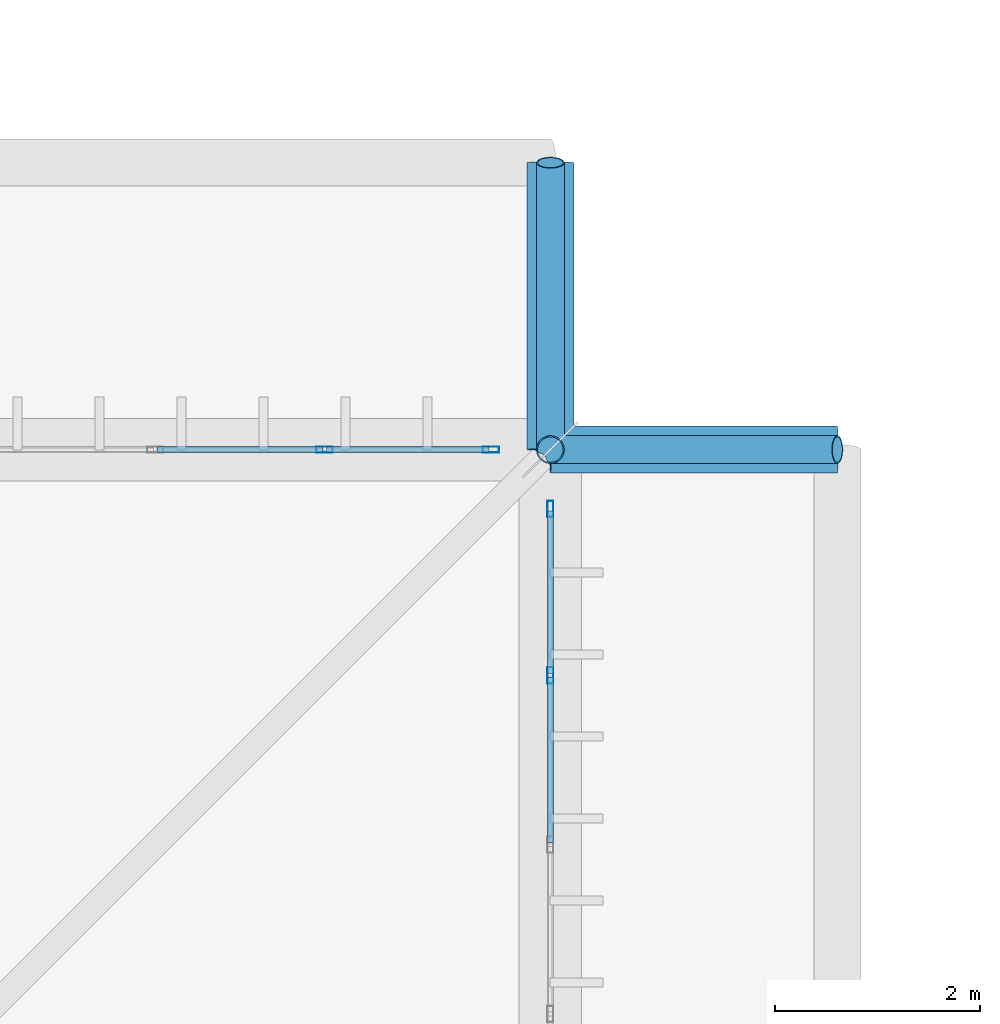
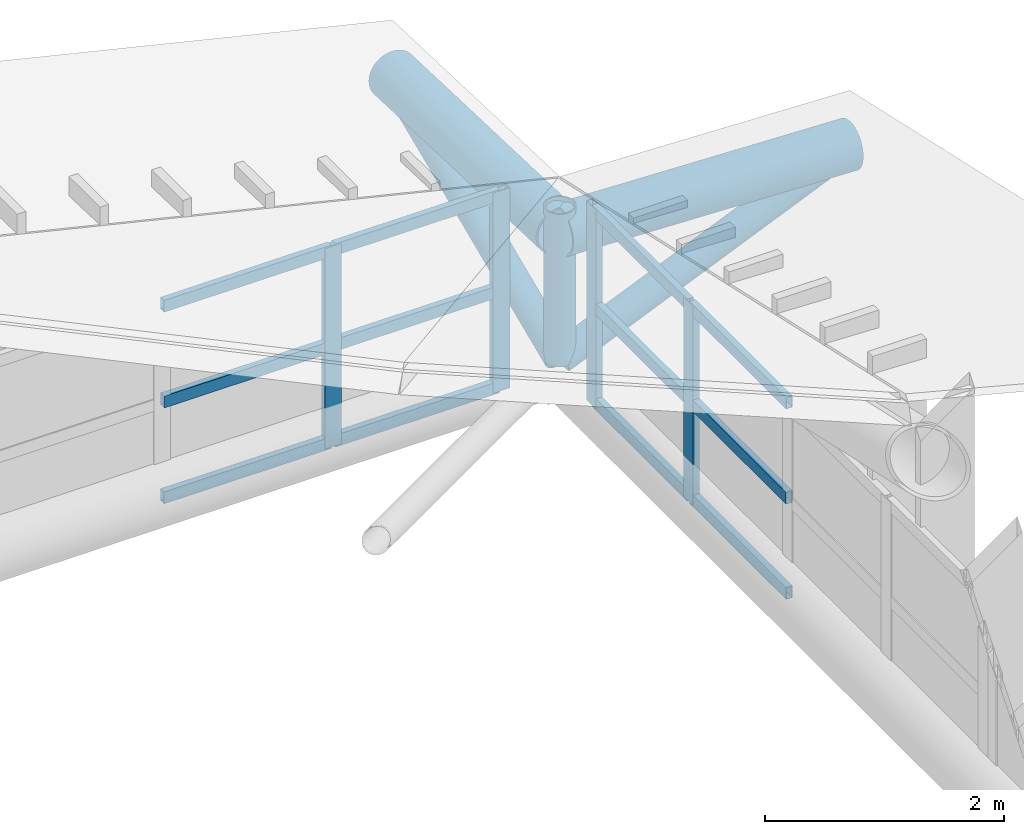
# One storey, part 355 of 397: 19 members, 2 beams, 2 elements without a shape of their own.
"""IFC4 building model written with IfcOpenShell, lengths in metres."""

from ifc_helpers import new_model, si_unit, direction, frame, origin, origin_2d, place, context, subcontext, project, spatial, hollow_rectangle, hollow_circle, extrude, material, material_profile, profile_set, type_object, element, aggregate, save


model = new_model("IFC4")

# Units and contexts
model_context = context("Model", 3, precision=1e-05, world=origin(), true_north=direction((0.0, 1.0)))
body_context = subcontext(model_context, "Body", "Model", "MODEL_VIEW")
ifc_project = project(units=[si_unit("LENGTHUNIT", "METRE"), si_unit("AREAUNIT", "SQUARE_METRE"), si_unit("VOLUMEUNIT", "CUBIC_METRE"), si_unit("PLANEANGLEUNIT", "RADIAN"), si_unit("MASSUNIT", "GRAM", prefix="KILO")], contexts=[model_context])

# Site, building, storey
site_placement = place(None, origin())
site = spatial("IfcSite", under=ifc_project, at=site_placement, CompositionType="ELEMENT")
building_placement = place(site_placement, origin())
building = spatial("IfcBuilding", under=site, at=building_placement, Name="Qandorah Velis Arena", CompositionType="ELEMENT")
storey_placement = place(building_placement, frame((0.0, 0.0, 27.5)))
storey = spatial("IfcBuildingStorey", under=building, at=storey_placement, Name="RF", CompositionType="ELEMENT", Elevation=27.5)

# Curtain wall, members
ifc_material_1 = material(Name="Solar-control low-E double glazing", Category="glass")
curtain_wall_type_1 = type_object("IfcCurtainWallType", Name="ARC-CW-SYS17", PredefinedType="USERDEFINED", material=ifc_material_1)
curtain_wall_1_placement = place(storey_placement, origin())
curtain_wall_1 = element("IfcCurtainWall", 1, at=curtain_wall_1_placement, inside=storey, type_object=curtain_wall_type_1, Name="Unitised curtain wall CROWN-2-08S2", ObjectType="UNITISED CURTAIN WALL", PredefinedType="USERDEFINED")
ifc_material_2 = material(Name="Champagne-bronze anodized aluminium 6063-T6", Category="aluminium")
ifc_material_profile_1 = material_profile(ifc_material_2, hollow_rectangle(XDim=0.06005859375, YDim=0.159912109375, WallThickness=0.00341796875, at=origin_2d()), Name="ALU MULLION 60x160")
ifc_profile_set_1 = profile_set([ifc_material_profile_1], Name="Champagne-bronze anodized aluminium 6063-T6")
member_type_1 = type_object("IfcMemberType", Name="ARC-CWM-160", PredefinedType="MULLION", material=ifc_profile_set_1)
member_1_placement = place(storey_placement, frame((115.199951171875, 112.99755859375, -0.014892578125), z_axis=(0.0, 0.0, 1.0), x_axis=(-1.0, 0.0, 0.0)))
member_1 = element("IfcMember", 2, at=member_1_placement, type_object=member_type_1, Name="CW17 mullion 4", PredefinedType="MULLION", context=body_context, shape_type="SweptSolid", body=[
    extrude(hollow_rectangle(XDim=0.06005859375, YDim=0.159912109375, WallThickness=0.00341796875, at=origin_2d()), origin(), (0.0, 0.0, 1.0), 2.03271484375),
])
member_2_placement = place(storey_placement, frame((115.199951171875, 114.6201171875, -0.014892578125), z_axis=(0.0, 0.0, 1.0), x_axis=(-1.0, 0.0, 0.0)))
member_2 = element("IfcMember", 3, at=member_2_placement, type_object=member_type_1, Name="CW17 mullion 5", PredefinedType="MULLION", context=body_context, shape_type="SweptSolid", body=[
    extrude(hollow_rectangle(XDim=0.06005859375, YDim=0.159912109375, WallThickness=0.00341796875, at=origin_2d()), origin(), (0.0, 0.0, 1.0), 2.03271484375),
])

curtain_wall_type_2 = type_object("IfcCurtainWallType", Name="ARC-CW-SYS08", PredefinedType="USERDEFINED", material=ifc_material_1)
curtain_wall_2_placement = place(storey_placement, origin())
curtain_wall_2 = element("IfcCurtainWall", 4, at=curtain_wall_2_placement, inside=storey, type_object=curtain_wall_type_2, Name="Unitised curtain wall CROWN-4-07S2", ObjectType="UNITISED CURTAIN WALL", PredefinedType="USERDEFINED")
member_3_placement = place(storey_placement, frame((112.99755859375, 115.199951171875, -0.014892578125), z_axis=(0.0, 0.0, 1.0), x_axis=(0.0, 1.0, 0.0)))
member_3 = element("IfcMember", 5, at=member_3_placement, type_object=member_type_1, Name="CW08 mullion 4", PredefinedType="MULLION", context=body_context, shape_type="SweptSolid", body=[
    extrude(hollow_rectangle(XDim=0.06005859375, YDim=0.159912109375, WallThickness=0.00341796875, at=origin_2d()), origin(), (0.0, 0.0, 1.0), 2.04541015625),
])
member_4_placement = place(storey_placement, frame((114.6201171875, 115.199951171875, -0.014892578125), z_axis=(0.0, 0.0, 1.0), x_axis=(0.0, 1.0, 0.0)))
member_4 = element("IfcMember", 6, at=member_4_placement, type_object=member_type_1, Name="CW08 mullion 5", PredefinedType="MULLION", context=body_context, shape_type="SweptSolid", body=[
    extrude(hollow_rectangle(XDim=0.06005859375, YDim=0.159912109375, WallThickness=0.00341796875, at=origin_2d()), origin(), (0.0, 0.0, 1.0), 2.04541015625),
])

# Member
ifc_material_profile_2 = material_profile(ifc_material_2, hollow_rectangle(XDim=0.06005859375, YDim=0.1201171875, WallThickness=0.0029296875, at=origin_2d()), Name="ALU TRANSOM 60x120")
ifc_profile_set_2 = profile_set([ifc_material_profile_2], Name="Champagne-bronze anodized aluminium 6063-T6")
member_type_2 = type_object("IfcMemberType", Name="ARC-CWT-120", PredefinedType="USERDEFINED", material=ifc_profile_set_2)
member_5_placement = place(storey_placement, frame((115.199951171875, 111.363037109375, 0.030029296875), z_axis=(0.0, 1.0, 0.0), x_axis=(-1.0, 0.0, 0.0)))
member_5 = element("IfcMember", 7, at=member_5_placement, type_object=member_type_2, Name="CW17 transom 3.1", ObjectType="TRANSOM", PredefinedType="USERDEFINED", context=body_context, shape_type="SweptSolid", body=[
    extrude(hollow_rectangle(XDim=0.06005859375, YDim=0.1201171875, WallThickness=0.0029296875, at=origin_2d()), origin(), (0.0, 0.0, 1.0), 1.616455078125),
])

member_6_placement = place(storey_placement, frame((115.199951171875, 111.363037109375, 1.00146484375), z_axis=(0.0, 1.0, 0.0), x_axis=(-1.0, 0.0, 0.0)))
member_6 = element("IfcMember", 8, at=member_6_placement, type_object=member_type_2, Name="CW17 transom 3.2", ObjectType="TRANSOM", PredefinedType="USERDEFINED", context=body_context, shape_type="SweptSolid", body=[
    extrude(hollow_rectangle(XDim=0.06005859375, YDim=0.1201171875, WallThickness=0.0029296875, at=origin_2d()), origin(), (0.0, 0.0, 1.0), 1.616455078125),
])

member_7_placement = place(storey_placement, frame((115.199951171875, 111.363037109375, 1.972900390625), z_axis=(0.0, 1.0, 0.0), x_axis=(-1.0, 0.0, 0.0)))
member_7 = element("IfcMember", 9, at=member_7_placement, type_object=member_type_2, Name="CW17 transom 3.3", ObjectType="TRANSOM", PredefinedType="USERDEFINED", context=body_context, shape_type="SweptSolid", body=[
    extrude(hollow_rectangle(XDim=0.06005859375, YDim=0.1201171875, WallThickness=0.0029296875, at=origin_2d()), origin(), (0.0, 0.0, 1.0), 1.616455078125),
])

member_8_placement = place(storey_placement, frame((115.199951171875, 113.015380859375, 0.030029296875), z_axis=(0.0, 1.0, 0.0), x_axis=(-1.0, 0.0, 0.0)))
member_8 = element("IfcMember", 10, at=member_8_placement, type_object=member_type_2, Name="CW17 transom 4.1", ObjectType="TRANSOM", PredefinedType="USERDEFINED", context=body_context, shape_type="SweptSolid", body=[
    extrude(hollow_rectangle(XDim=0.06005859375, YDim=0.1201171875, WallThickness=0.0029296875, at=origin_2d()), origin(), (0.0, 0.0, 1.0), 1.586669921875),
])

member_9_placement = place(storey_placement, frame((115.199951171875, 113.015380859375, 1.00146484375), z_axis=(0.0, 1.0, 0.0), x_axis=(-1.0, 0.0, 0.0)))
member_9 = element("IfcMember", 11, at=member_9_placement, type_object=member_type_2, Name="CW17 transom 4.2", ObjectType="TRANSOM", PredefinedType="USERDEFINED", context=body_context, shape_type="SweptSolid", body=[
    extrude(hollow_rectangle(XDim=0.06005859375, YDim=0.1201171875, WallThickness=0.0029296875, at=origin_2d()), origin(), (0.0, 0.0, 1.0), 1.586669921875),
])

member_10_placement = place(storey_placement, frame((115.199951171875, 113.015380859375, 1.972900390625), z_axis=(0.0, 1.0, 0.0), x_axis=(-1.0, 0.0, 0.0)))
member_10 = element("IfcMember", 12, at=member_10_placement, type_object=member_type_2, Name="CW17 transom 4.3", ObjectType="TRANSOM", PredefinedType="USERDEFINED", context=body_context, shape_type="SweptSolid", body=[
    extrude(hollow_rectangle(XDim=0.06005859375, YDim=0.1201171875, WallThickness=0.0029296875, at=origin_2d()), origin(), (0.0, 0.0, 1.0), 1.586669921875),
])

aggregate(curtain_wall_1, [member_1, member_2, member_5, member_6, member_7, member_8, member_9, member_10])

member_11_placement = place(storey_placement, frame((111.363037109375, 115.199951171875, 0.030029296875), z_axis=(1.0, 0.0, 0.0), x_axis=(0.0, 1.0, 0.0)))
member_11 = element("IfcMember", 13, at=member_11_placement, type_object=member_type_2, Name="CW08 transom 3.1", ObjectType="TRANSOM", PredefinedType="USERDEFINED", context=body_context, shape_type="SweptSolid", body=[
    extrude(hollow_rectangle(XDim=0.06005859375, YDim=0.1201171875, WallThickness=0.0029296875, at=origin_2d()), origin(), (0.0, 0.0, 1.0), 1.616455078125),
])

member_12_placement = place(storey_placement, frame((111.363037109375, 115.199951171875, 1.0078125), z_axis=(1.0, 0.0, 0.0), x_axis=(0.0, 1.0, 0.0)))
member_12 = element("IfcMember", 14, at=member_12_placement, type_object=member_type_2, Name="CW08 transom 3.2", ObjectType="TRANSOM", PredefinedType="USERDEFINED", context=body_context, shape_type="SweptSolid", body=[
    extrude(hollow_rectangle(XDim=0.06005859375, YDim=0.1201171875, WallThickness=0.0029296875, at=origin_2d()), origin(), (0.0, 0.0, 1.0), 1.616455078125),
])

member_13_placement = place(storey_placement, frame((111.363037109375, 115.199951171875, 1.985595703125), z_axis=(1.0, 0.0, 0.0), x_axis=(0.0, 1.0, 0.0)))
member_13 = element("IfcMember", 15, at=member_13_placement, type_object=member_type_2, Name="CW08 transom 3.3", ObjectType="TRANSOM", PredefinedType="USERDEFINED", context=body_context, shape_type="SweptSolid", body=[
    extrude(hollow_rectangle(XDim=0.06005859375, YDim=0.1201171875, WallThickness=0.0029296875, at=origin_2d()), origin(), (0.0, 0.0, 1.0), 1.616455078125),
])

member_14_placement = place(storey_placement, frame((113.015380859375, 115.199951171875, 0.030029296875), z_axis=(1.0, 0.0, 0.0), x_axis=(0.0, 1.0, 0.0)))
member_14 = element("IfcMember", 16, at=member_14_placement, type_object=member_type_2, Name="CW08 transom 4.1", ObjectType="TRANSOM", PredefinedType="USERDEFINED", context=body_context, shape_type="SweptSolid", body=[
    extrude(hollow_rectangle(XDim=0.06005859375, YDim=0.1201171875, WallThickness=0.0029296875, at=origin_2d()), origin(), (0.0, 0.0, 1.0), 1.586669921875),
])

member_15_placement = place(storey_placement, frame((113.015380859375, 115.199951171875, 1.0078125), z_axis=(1.0, 0.0, 0.0), x_axis=(0.0, 1.0, 0.0)))
member_15 = element("IfcMember", 17, at=member_15_placement, type_object=member_type_2, Name="CW08 transom 4.2", ObjectType="TRANSOM", PredefinedType="USERDEFINED", context=body_context, shape_type="SweptSolid", body=[
    extrude(hollow_rectangle(XDim=0.06005859375, YDim=0.1201171875, WallThickness=0.0029296875, at=origin_2d()), origin(), (0.0, 0.0, 1.0), 1.586669921875),
])

member_16_placement = place(storey_placement, frame((113.015380859375, 115.199951171875, 1.985595703125), z_axis=(1.0, 0.0, 0.0), x_axis=(0.0, 1.0, 0.0)))
member_16 = element("IfcMember", 18, at=member_16_placement, type_object=member_type_2, Name="CW08 transom 4.3", ObjectType="TRANSOM", PredefinedType="USERDEFINED", context=body_context, shape_type="SweptSolid", body=[
    extrude(hollow_rectangle(XDim=0.06005859375, YDim=0.1201171875, WallThickness=0.0029296875, at=origin_2d()), origin(), (0.0, 0.0, 1.0), 1.586669921875),
])

aggregate(curtain_wall_2, [member_3, member_4, member_11, member_12, member_13, member_14, member_15, member_16])

# Beams
ifc_material_3 = material(Name="Steel S355", Category="steel")
ifc_material_profile_3 = material_profile(ifc_material_3, hollow_circle(Radius=0.228515625, WallThickness=0.01611328125, at=origin_2d()), Name="CHS 457x16")
ifc_profile_set_3 = profile_set([ifc_material_profile_3], Name="Steel S355")
beam_type = type_object("IfcBeamType", Name="STR-SFC-CHS457X16", PredefinedType="USERDEFINED", material=ifc_profile_set_3)
for number, where, z_axis, x_axis, name in (
    (19, (115.199951171875, 115.199951171875, 1.39990234375), (0.0, 0.999364739976, -0.035638693753), (-1.0, 0.0, 0.0), "Space frame eave outrigger N-7"),
    (20, (115.199951171875, 115.199951171875, 1.39990234375), (0.999364739976, 0.0, -0.035638693753), (0.0, 1.0, 0.0), "Space frame eave outrigger E-7"),
):
    element("IfcBeam", number, at=place(storey_placement, frame(where, z_axis=z_axis, x_axis=x_axis)), inside=storey, type_object=beam_type, Name=name, ObjectType="ROOF TRUSS", PredefinedType="USERDEFINED", context=body_context, shape_type="SweptSolid", body=[
        extrude(hollow_circle(Radius=0.228515625, WallThickness=0.01611328125, at=origin_2d()), origin(), (0.0, 0.0, 1.0), 2.8017578125),
    ])

# Members
ifc_material_profile_4 = material_profile(ifc_material_3, hollow_circle(Radius=0.136474609375, WallThickness=0.012451171875, at=origin_2d()), Name="CHS 273x12.5")
ifc_profile_set_4 = profile_set([ifc_material_profile_4], Name="Steel S355")
member_type_3 = type_object("IfcMemberType", Name="STR-SFD-CHS273X12", PredefinedType="STRUT", material=ifc_profile_set_4)
member_17_placement = place(storey_placement, frame((115.199951171875, 115.199951171875, 0.10009765625), z_axis=(0.0, 0.0, 1.0), x_axis=(1.0, 0.0, 0.0)))
element("IfcMember", 21, at=member_17_placement, inside=storey, type_object=member_type_3, Name="Space frame roof vertical post 7.7", PredefinedType="STRUT", context=body_context, shape_type="SweptSolid", body=[
    extrude(hollow_circle(Radius=0.136474609375, WallThickness=0.012451171875, at=origin_2d()), origin(), (0.0, 0.0, 1.0), 1.559814453125),
])
for number, where, z_axis, x_axis, name in (
    (22, (115.199951171875, 115.199951171875, 0.10009765625), (0.0, 0.919153320409, 0.393899953772), (-1.0, 0.0, 0.0), "Space frame eave raking strut N-7"),
    (23, (115.199951171875, 115.199951171875, 0.10009765625), (0.919153320409, 0.0, 0.393899953772), (0.0, 1.0, 0.0), "Space frame eave raking strut E-7"),
):
    element("IfcMember", number, at=place(storey_placement, frame(where, z_axis=z_axis, x_axis=x_axis)), inside=storey, type_object=member_type_3, Name=name, PredefinedType="STRUT", context=body_context, shape_type="SweptSolid", body=[
        extrude(hollow_circle(Radius=0.136474609375, WallThickness=0.012451171875, at=origin_2d()), origin(), (0.0, 0.0, 1.0), 3.04638671875),
    ])

save(model, "model.ifc")
